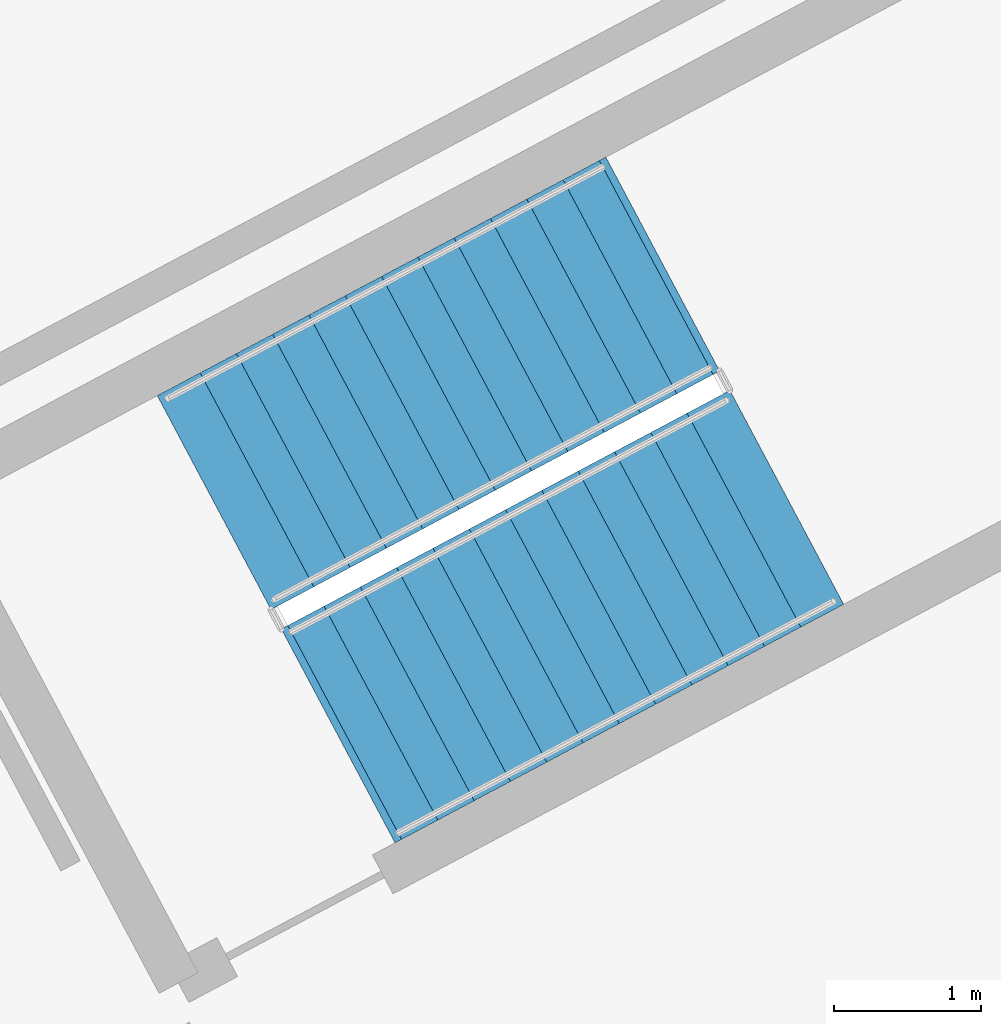
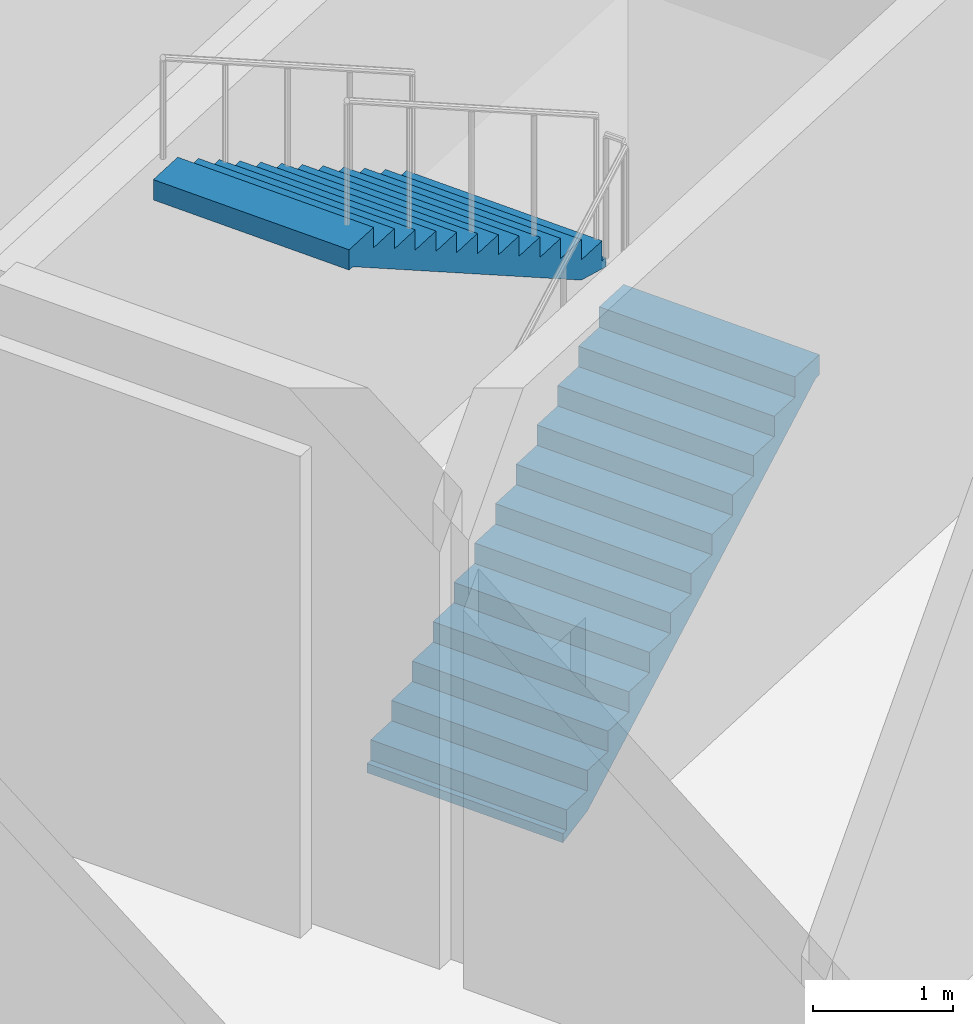
# One storey, part 21 of 32: 2 stair flights, 1 element without a shape of its own.
"""IFC4 building model written with IfcOpenShell, lengths in metres."""

import ifcopenshell
import ifcopenshell.guid

model = None  # the IFC model being written
_history = None  # IfcOwnerHistory: only IFC2X3 demands one
_inside = {}  # id of a spatial element -> (the spatial element, [elements in it])
_under = {}  # id of a project, library or spatial element -> (it, [spatial elements below it])
_declared = {}  # id of a project -> (the project, [libraries it declares])
_typed = {}  # id of a type object -> (the type object, [elements of that type])
_made_of = {}  # id of a material, layer set ... -> (it, [elements and type objects made of it])


def new_model(schema):
    """Start an empty IFC model of exactly this schema.

    Asked for "IFC4X3", IfcOpenShell would pick the latest addendum, in which some entities
    have other attributes; the version numbers below select the first issue.
    IFC2X3 requires an IfcOwnerHistory on every rooted entity: one is made here for all.
    """
    global model, _history
    if schema == "IFC4X3":
        model = ifcopenshell.file(schema_version=(4, 3, 0, 0))
    else:
        model = ifcopenshell.file(schema=schema)
    _inside.clear()
    _under.clear()
    _declared.clear()
    _typed.clear()
    _made_of.clear()
    _history = None
    if model.schema == "IFC2X3":
        org = make("IfcOrganization", Name="unknown")
        user = make(
            "IfcPersonAndOrganization",
            ThePerson=make("IfcPerson", FamilyName="unknown"),
            TheOrganization=org,
        )
        app = make(
            "IfcApplication",
            ApplicationDeveloper=org,
            Version="unknown",
            ApplicationFullName="unknown",
            ApplicationIdentifier="unknown",
        )
        _history = make(
            "IfcOwnerHistory",
            OwningUser=user,
            OwningApplication=app,
            ChangeAction="ADDED",
            CreationDate=0,
        )
    return model


def make(cls, **values):
    """One entity of the class cls with the attributes given. An attribute that is None is left unset."""
    return model.create_entity(
        cls, **{name: value for name, value in values.items() if value is not None}
    )


def rooted(cls, **values):
    """An entity with a GlobalId (a new one), such as an element, a storey or a relation."""
    return make(cls, GlobalId=ifcopenshell.guid.new(), OwnerHistory=_history, **values)


def si_unit(unit_type, name, prefix=None):
    """IfcSIUnit, for example si_unit("LENGTHUNIT", "METRE", prefix="MILLI")."""
    return make("IfcSIUnit", UnitType=unit_type, Prefix=prefix, Name=name)


def assignment(units):
    """IfcUnitAssignment: the units of a project."""
    return None if units is None else make("IfcUnitAssignment", Units=units)


def point(xyz):
    """IfcCartesianPoint."""
    return None if xyz is None else make("IfcCartesianPoint", Coordinates=xyz)


def direction(xyz):
    """IfcDirection."""
    return None if xyz is None else make("IfcDirection", DirectionRatios=xyz)


def frame(location, z_axis=None, x_axis=None):
    """IfcAxis2Placement3D, a coordinate frame: its origin and axes. An axis left out is left unset."""
    return make(
        "IfcAxis2Placement3D",
        Location=point(location),
        Axis=direction(z_axis),
        RefDirection=direction(x_axis),
    )


def origin():
    """The frame at (0, 0, 0) with its axes left unset."""
    return frame((0.0, 0.0, 0.0))


def place(relative_to, where):
    """IfcLocalPlacement: puts the frame where relative to a parent placement (None: the world)."""
    return make(
        "IfcLocalPlacement", PlacementRelTo=relative_to, RelativePlacement=where
    )


def context(
    kind, dimensions, precision=None, world=None, true_north=None, identifier=None
):
    """IfcGeometricRepresentationContext, for example the 3D "Model" context."""
    return make(
        "IfcGeometricRepresentationContext",
        ContextIdentifier=identifier,
        ContextType=kind,
        CoordinateSpaceDimension=dimensions,
        Precision=precision,
        WorldCoordinateSystem=world,
        TrueNorth=true_north,
    )


def subcontext(parent, identifier, kind, view, scale=None):
    """IfcGeometricRepresentationSubContext, for example "Body" below "Model"."""
    return make(
        "IfcGeometricRepresentationSubContext",
        ContextIdentifier=identifier,
        ContextType=kind,
        ParentContext=parent,
        TargetScale=scale,
        TargetView=view,
    )


def project(units=None, contexts=None):
    """IfcProject with its units and contexts."""
    return rooted(
        "IfcProject",
        Name="project",
        RepresentationContexts=contexts,
        UnitsInContext=assignment(units),
    )


def spatial(cls, under=None, at=None, **own):
    """A site, building, storey or space (cls), placed at a placement, below another one or the project."""
    s = rooted(cls, ObjectPlacement=at, **own)
    if under is not None:
        _under.setdefault(under.id(), (under, []))[1].append(s)
    return s


def polyline(points):
    """IfcPolyline through the points."""
    return make("IfcPolyline", Points=[point(p) for p in points])


def outline(outer, holes=None, kind="AREA"):
    """IfcArbitraryClosedProfileDef: a profile drawn as a closed curve; with holes, ...WithVoids."""
    if holes is None:
        return make("IfcArbitraryClosedProfileDef", ProfileType=kind, OuterCurve=outer)
    return make(
        "IfcArbitraryProfileDefWithVoids",
        ProfileType=kind,
        OuterCurve=outer,
        InnerCurves=holes,
    )


def extrude(swept, where, along, depth):
    """IfcExtrudedAreaSolid: the profile swept, set in the frame where, extruded along a direction by depth."""
    return make(
        "IfcExtrudedAreaSolid",
        SweptArea=swept,
        Position=where,
        ExtrudedDirection=direction(along),
        Depth=depth,
    )


def shape(context_of_items, identifier, shape_type, items):
    """IfcShapeRepresentation: the items that make up one representation, for example the "Body"."""
    return make(
        "IfcShapeRepresentation",
        ContextOfItems=context_of_items,
        RepresentationIdentifier=identifier,
        RepresentationType=shape_type,
        Items=items,
    )


def material(Name=None, Category=None):
    """IfcMaterial."""
    return make("IfcMaterial", Name=Name, Category=Category)


def made_of(thing, what):
    """Note that an element or type object is made of a material, layer set ...; save() writes the relation."""
    if what is not None:
        _made_of.setdefault(what.id(), (what, []))[1].append(thing)
    return thing


def type_object(cls, material=None, **own):
    """A type object (cls), such as IfcWallType, which elements share."""
    return made_of(rooted(cls, **own), material)


def element(
    cls,
    number,
    at=None,
    inside=None,
    cuts=None,
    type_object=None,
    material=None,
    context=None,
    identifier="Body",
    shape_type=None,
    held_by="IfcProductDefinitionShape",
    body=None,
    shapes=None,
    **own,
):
    """One element of the class cls, such as IfcWall. Its Tag is "e" and its number.

    at: its placement. inside: the storey or other place that contains it. cuts: it is an
    opening in that element (IfcRelVoidsElement). A single representation is given by context,
    identifier, shape_type and body (its items); several are given by shapes. held_by: the class
    of the entity that holds the representations. save() writes the other relations.
    """
    e = rooted(cls, Tag="e%d" % number, ObjectPlacement=at, **own)
    if body is not None:
        shapes = [shape(context, identifier, shape_type, body)]
    if shapes is not None:
        e.Representation = make(held_by, Representations=shapes)
    if inside is not None:
        _inside.setdefault(inside.id(), (inside, []))[1].append(e)
    if cuts is not None:
        rooted(
            "IfcRelVoidsElement", RelatingBuildingElement=cuts, RelatedOpeningElement=e
        )
    if type_object is not None:
        _typed.setdefault(type_object.id(), (type_object, []))[1].append(e)
    return made_of(e, material)


def aggregate(whole, parts):
    """IfcRelAggregates: a whole, such as a stair, and the parts it consists of."""
    return rooted("IfcRelAggregates", RelatingObject=whole, RelatedObjects=parts)


def save(model, path):
    """Write the relations noted so far, then the file.

    IfcRelAggregates (storeys below a building ...), IfcRelContainedInSpatialStructure (elements
    in a storey), IfcRelDefinesByType, IfcRelAssociatesMaterial and IfcRelDeclares: one each for
    every whole, place, type object, material and project.
    """
    for whole, parts in _under.values():
        aggregate(whole, parts)
    for where, things in _inside.values():
        rooted(
            "IfcRelContainedInSpatialStructure",
            RelatedElements=things,
            RelatingStructure=where,
        )
    for kind, things in _typed.values():
        rooted("IfcRelDefinesByType", RelatedObjects=things, RelatingType=kind)
    for what, things in _made_of.values():
        rooted("IfcRelAssociatesMaterial", RelatedObjects=things, RelatingMaterial=what)
    for by, libraries in _declared.values():
        rooted("IfcRelDeclares", RelatingContext=by, RelatedDefinitions=libraries)
    model.write(path)


model = new_model("IFC4")

# Units and contexts
model_context = context("Model", 3, precision=1e-05, world=origin(), true_north=direction((0.0, 1.0)))
body_context = subcontext(model_context, "Body", "Model", "MODEL_VIEW")
ifc_project = project(units=[si_unit("LENGTHUNIT", "METRE"), si_unit("AREAUNIT", "SQUARE_METRE"), si_unit("VOLUMEUNIT", "CUBIC_METRE"), si_unit("PLANEANGLEUNIT", "RADIAN"), si_unit("MASSUNIT", "GRAM", prefix="KILO")], contexts=[model_context])

# Site, building, storey
site_placement = place(None, origin())
site = spatial("IfcSite", under=ifc_project, at=site_placement, CompositionType="ELEMENT")
building_placement = place(site_placement, origin())
building = spatial("IfcBuilding", under=site, at=building_placement, Name="Cormorant Relay Tower", CompositionType="ELEMENT")
storey_placement = place(building_placement, frame((0.0, 0.0, 66.199951171875)))
storey = spatial("IfcBuildingStorey", under=building, at=storey_placement, Name="L12", CompositionType="ELEMENT", Elevation=66.199951171875)

# Stair, stair flights
ifc_material_1 = material(Name="Concrete 40 MPa", Category="concrete")
stair_type = type_object("IfcStairType", Name="Exit stair 1500", PredefinedType="HALF_TURN_STAIR", material=ifc_material_1)
stair_placement = place(storey_placement, origin())
stair = element("IfcStair", 1, at=stair_placement, inside=storey, type_object=stair_type, Name="L12 Stair", PredefinedType="HALF_TURN_STAIR")
ifc_material_2 = material(Name="Concrete 40 MPa", Category="concrete")
stair_flight_type = type_object("IfcStairFlightType", Name="Exit stair flight 1650", PredefinedType="STRAIGHT", material=ifc_material_2)
stair_flight_1_placement = place(storey_placement, frame((44.947509765625, 31.502197265625, 0.0), z_axis=(0.0, 0.0, 1.0), x_axis=(0.882947502727, 0.4694717323, 0.0)))
stair_flight_1 = element("IfcStairFlight", 2, at=stair_flight_1_placement, type_object=stair_flight_type, Name="RB1 flight 1", NumberOfRisers=13, NumberOfTreads=12, PredefinedType="STRAIGHT", RiserHeight=0.176923077, TreadLength=0.28, context=body_context, shape_type="SweptSolid", body=[
    extrude(outline(polyline([(-0.050048828125, -0.080078125), (-0.050048828125, 0.0), (0.0, 0.0), (0.0, 0.177001953125), (0.280029296875, 0.177001953125), (0.280029296875, 0.353759765625), (0.56005859375, 0.353759765625), (0.56005859375, 0.53076171875), (0.840087890625, 0.53076171875), (0.840087890625, 0.707763671875), (1.1201171875, 0.707763671875), (1.1201171875, 0.884521484375), (1.39990234375, 0.884521484375), (1.39990234375, 1.0615234375), (1.679931640625, 1.0615234375), (1.679931640625, 1.238525390625), (1.9599609375, 1.238525390625), (1.9599609375, 1.415283203125), (2.239990234375, 1.415283203125), (2.239990234375, 1.59228515625), (2.52001953125, 1.59228515625), (2.52001953125, 1.769287109375), (2.800048828125, 1.769287109375), (2.800048828125, 1.946044921875), (3.080078125, 1.946044921875), (3.080078125, 2.123046875), (3.360107421875, 2.123046875), (3.41015625, 2.123046875), (3.41015625, 1.94580078125), (3.360107421875, 1.94580078125), (0.280517578125, 0.0), (-0.050048828125, -0.080078125)])), frame((0.0, 0.824951171875, 0.0), z_axis=(0.0, -1.0, 0.0), x_axis=(1.0, 0.0, 0.0)), (0.0, 0.0, 1.0), 1.64990234375),
])
stair_flight_2_placement = place(storey_placement, frame((47.0693359375, 34.668701171875, 2.300048828125), z_axis=(0.0, 0.0, 1.0), x_axis=(-0.882947502727, -0.4694717323, 0.0)))
stair_flight_2 = element("IfcStairFlight", 3, at=stair_flight_2_placement, type_object=stair_flight_type, Name="RB1 flight 2", NumberOfRisers=13, NumberOfTreads=12, PredefinedType="STRAIGHT", RiserHeight=0.176923077, TreadLength=0.28, context=body_context, shape_type="SweptSolid", body=[
    extrude(outline(polyline([(-0.050048828125, -0.080078125), (-0.050048828125, 0.0), (0.0, 0.0), (0.0, 0.177001953125), (0.280029296875, 0.177001953125), (0.280029296875, 0.353759765625), (0.56005859375, 0.353759765625), (0.56005859375, 0.53076171875), (0.840087890625, 0.53076171875), (0.840087890625, 0.707763671875), (1.1201171875, 0.707763671875), (1.1201171875, 0.884521484375), (1.39990234375, 0.884521484375), (1.39990234375, 1.0615234375), (1.679931640625, 1.0615234375), (1.679931640625, 1.238525390625), (1.9599609375, 1.238525390625), (1.9599609375, 1.415283203125), (2.239990234375, 1.415283203125), (2.239990234375, 1.59228515625), (2.52001953125, 1.59228515625), (2.52001953125, 1.769287109375), (2.800048828125, 1.769287109375), (2.800048828125, 1.946044921875), (3.080078125, 1.946044921875), (3.080078125, 2.123046875), (3.360107421875, 2.123046875), (3.41015625, 2.123046875), (3.41015625, 1.94580078125), (3.360107421875, 1.94580078125), (0.280517578125, 0.0), (-0.050048828125, -0.080078125)])), frame((0.0, 0.824951171875, 0.0), z_axis=(0.0, -1.0, 0.0), x_axis=(1.0, 0.0, 0.0)), (0.0, 0.0, 1.0), 1.64990234375),
])
aggregate(stair, [stair_flight_1, stair_flight_2])

save(model, "model.ifc")
